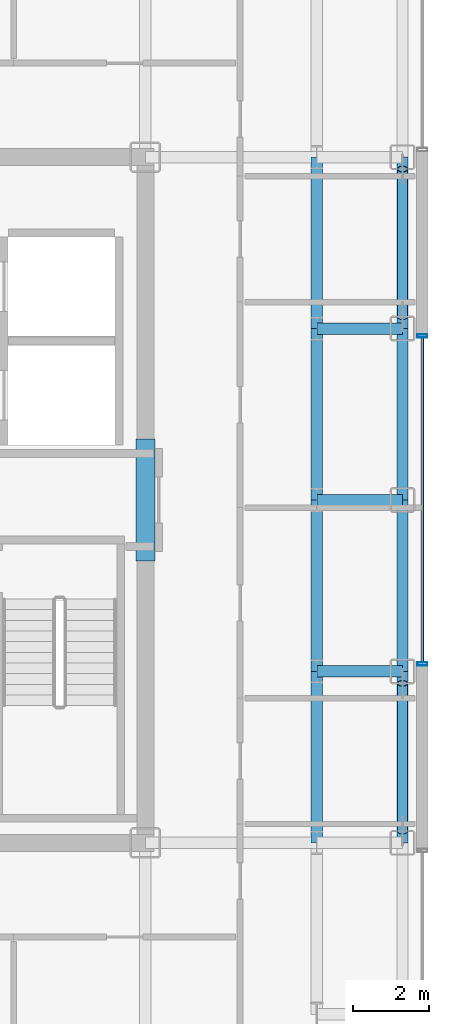
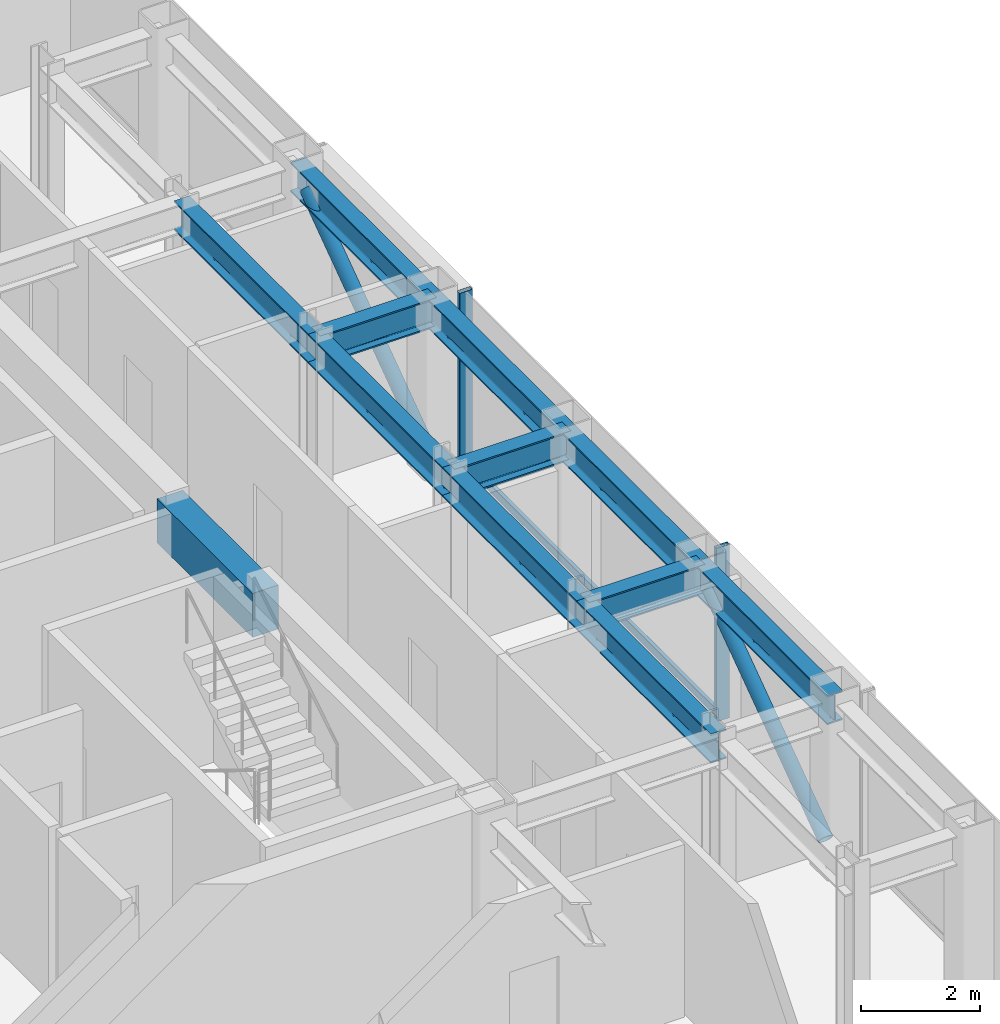
# One storey, part 6 of 16: 12 beams, 5 members, 1 element without a shape of its own.
"""IFC4 building model written with IfcOpenShell, lengths in metres."""

from ifc_helpers import new_model, si_unit, direction, frame, origin, origin_2d, place, context, subcontext, project, spatial, rectangle, hollow_rectangle, hollow_circle, i_section, extrude, source, transform, mapped, material, layer, layer_set, material_profile, profile_set, type_object, element, aggregate, save


model = new_model("IFC4")

# Units and contexts
model_context = context("Model", 3, precision=1e-05, world=origin(), true_north=direction((0.0, 1.0)))
body_context = subcontext(model_context, "Body", "Model", "MODEL_VIEW")
ifc_project = project(units=[si_unit("LENGTHUNIT", "METRE"), si_unit("AREAUNIT", "SQUARE_METRE"), si_unit("VOLUMEUNIT", "CUBIC_METRE"), si_unit("PLANEANGLEUNIT", "RADIAN"), si_unit("MASSUNIT", "GRAM", prefix="KILO")], contexts=[model_context])

# Site, building, storey
site_placement = place(None, origin())
site = spatial("IfcSite", under=ifc_project, at=site_placement, CompositionType="ELEMENT")
building_placement = place(site_placement, origin())
building = spatial("IfcBuilding", under=site, at=building_placement, Name="Nefas-Gora Pilgrimage Tower", CompositionType="ELEMENT")
storey_placement = place(building_placement, frame((0.0, 0.0, 287.39990234375)))
storey = spatial("IfcBuildingStorey", under=building, at=storey_placement, Name="L72", CompositionType="ELEMENT", Elevation=287.39990234375)

# Beams
ifc_material_1 = material(Name="Concrete C50/60", Category="concrete")
ifc_material_profile_1 = material_profile(ifc_material_1, rectangle(XDim=0.5, YDim=0.89990234375, at=origin_2d()), Name="RC 500x900")
ifc_profile_set_1 = profile_set([ifc_material_profile_1], Name="Concrete C50/60")
beam_type_1 = type_object("IfcBeamType", Name="BM-LIN-RC900", PredefinedType="LINTEL", material=ifc_profile_set_1)
shared_shape_1 = source(origin(), body_context, "Body", "SweptSolid", [
    extrude(rectangle(XDim=0.5, YDim=0.89990234375, at=origin_2d()), origin(), (0.0, 0.0, 1.0), 3.2001953125),
])
beam_placement = place(storey_placement, frame((11.25, -1.60009765625, 3.10009765625), z_axis=(0.0, 1.0, 0.0), x_axis=(-1.0, 0.0, 0.0)))
element("IfcBeam", 1, at=beam_placement, inside=storey, type_object=beam_type_1, Name="L72 Core Coupling Lintel Beam E", PredefinedType="LINTEL", context=body_context, shape_type="MappedRepresentation", body=[
    mapped(shared_shape_1, transform((0.0, 0.0, 0.0), x_axis=(1.0, 0.0, 0.0), y_axis=(0.0, 1.0, 0.0), z_axis=(0.0, 0.0, 1.0), scale=1.0)),
])
ifc_material_2 = material(Name="Steel S355", Category="steel")
ifc_material_profile_2 = material_profile(ifc_material_2, i_section(OverallWidth=0.300048828125, OverallDepth=0.60009765625, WebThickness=0.015380859375, FlangeThickness=0.030029296875, FilletRadius=0.027099609375, at=origin_2d()), Name="HEB 600")
ifc_profile_set_2 = profile_set([ifc_material_profile_2], Name="Steel S355")
beam_type_2 = type_object("IfcBeamType", Name="BM-SPN-HEB450", PredefinedType="SPANDREL", material=ifc_profile_set_2)
shared_shape_2 = source(origin(), body_context, "Body", "SweptSolid", [
    extrude(i_section(OverallWidth=0.300048828125, OverallDepth=0.60009765625, WebThickness=0.015380859375, FlangeThickness=0.030029296875, FilletRadius=0.027099609375, at=origin_2d()), origin(), (0.0, 0.0, 1.0), 4.5),
])
for number, where, z_axis, x_axis, name in (
    (2, (18.0, -9.0, 3.25), (0.0, 1.0, 0.0), (-1.0, 0.0, 0.0), "L72 SP-03 beam"),
    (3, (18.0, -4.5, 3.25), (0.0, 1.0, 0.0), (-1.0, 0.0, 0.0), "L72 SP-03 beam"),
    (4, (18.0, 0.0, 3.25), (0.0, 1.0, 0.0), (-1.0, 0.0, 0.0), "L72 SP-03 beam"),
    (5, (18.0, 4.5, 3.25), (0.0, 1.0, 0.0), (-1.0, 0.0, 0.0), "L72 SP-03 beam"),
):
    element("IfcBeam", number, at=place(storey_placement, frame(where, z_axis=z_axis, x_axis=x_axis)), inside=storey, type_object=beam_type_2, Name=name, PredefinedType="SPANDREL", context=body_context, shape_type="MappedRepresentation", body=[
        mapped(shared_shape_2, transform((0.0, 0.0, 0.0), x_axis=(1.0, 0.0, 0.0), y_axis=(0.0, 1.0, 0.0), z_axis=(0.0, 0.0, 1.0), scale=1.0)),
    ])
ifc_material_profile_3 = material_profile(ifc_material_2, i_section(OverallWidth=0.300048828125, OverallDepth=0.60009765625, WebThickness=0.015380859375, FlangeThickness=0.030029296875, FilletRadius=0.027099609375, at=origin_2d()), Name="HEB 600")
ifc_profile_set_3 = profile_set([ifc_material_profile_3], Name="Steel S355")
beam_type_3 = type_object("IfcBeamType", Name="BM-GIR-HEB600", PredefinedType="BEAM", material=ifc_profile_set_3)
shared_shape_3 = source(origin(), body_context, "Body", "SweptSolid", [
    extrude(i_section(OverallWidth=0.300048828125, OverallDepth=0.60009765625, WebThickness=0.015380859375, FlangeThickness=0.030029296875, FilletRadius=0.027099609375, at=origin_2d()), origin(), (0.0, 0.0, 1.0), 4.5),
])
for number, where, z_axis, x_axis, name in (
    (6, (15.75, -9.0, 3.25), (0.0, 1.0, 0.0), (-1.0, 0.0, 0.0), "L72 G-04 beam"),
    (7, (15.75, -4.5, 3.25), (0.0, 1.0, 0.0), (-1.0, 0.0, 0.0), "L72 G-04 beam"),
    (8, (15.75, 0.0, 3.25), (0.0, 1.0, 0.0), (-1.0, 0.0, 0.0), "L72 G-04 beam"),
    (9, (15.75, 4.5, 3.25), (0.0, 1.0, 0.0), (-1.0, 0.0, 0.0), "L72 G-04 beam"),
):
    element("IfcBeam", number, at=place(storey_placement, frame(where, z_axis=z_axis, x_axis=x_axis)), inside=storey, type_object=beam_type_3, Name=name, PredefinedType="BEAM", context=body_context, shape_type="MappedRepresentation", body=[
        mapped(shared_shape_3, transform((0.0, 0.0, 0.0), x_axis=(1.0, 0.0, 0.0), y_axis=(0.0, 1.0, 0.0), z_axis=(0.0, 0.0, 1.0), scale=1.0)),
    ])
shared_shape_4 = source(origin(), body_context, "Body", "SweptSolid", [
    extrude(i_section(OverallWidth=0.300048828125, OverallDepth=0.60009765625, WebThickness=0.015380859375, FlangeThickness=0.030029296875, FilletRadius=0.027099609375, at=origin_2d()), origin(), (0.0, 0.0, 1.0), 2.25),
])
for number, where, z_axis, x_axis, name in (
    (10, (15.75, -4.5, 3.25), (1.0, 0.0, 0.0), (0.0, 1.0, 0.0), "L72 G-04 beam"),
    (11, (15.75, 0.0, 3.25), (1.0, 0.0, 0.0), (0.0, 1.0, 0.0), "L72 G-04 beam"),
    (12, (15.75, 4.5, 3.25), (1.0, 0.0, 0.0), (0.0, 1.0, 0.0), "L72 G-04 beam"),
):
    element("IfcBeam", number, at=place(storey_placement, frame(where, z_axis=z_axis, x_axis=x_axis)), inside=storey, type_object=beam_type_3, Name=name, PredefinedType="BEAM", context=body_context, shape_type="MappedRepresentation", body=[
        mapped(shared_shape_4, transform((0.0, 0.0, 0.0), x_axis=(1.0, 0.0, 0.0), y_axis=(0.0, 1.0, 0.0), z_axis=(0.0, 0.0, 1.0), scale=1.0)),
    ])

# Members
ifc_material_profile_4 = material_profile(ifc_material_2, hollow_circle(Radius=0.136474609375, WallThickness=0.01611328125, at=origin_2d()), Name="CHS 273x16")
ifc_profile_set_4 = profile_set([ifc_material_profile_4], Name="Steel S355")
member_type_1 = type_object("IfcMemberType", Name="MEM-TUBE-273", PredefinedType="BRACE", material=ifc_profile_set_4)
shared_shape_5 = source(origin(), body_context, "Body", "SweptSolid", [
    extrude(hollow_circle(Radius=0.136474609375, WallThickness=0.01611328125, at=origin_2d()), origin(), (0.0, 0.0, 1.0), 4.763671875),
])
for number, where, z_axis, x_axis, name in (
    (13, (18.0, -8.68701171875, 0.3740234375), (0.0, 0.813255312614, 0.581907034246), (-1.0, 0.0, 0.0), "L72 Perimeter Tube Diagonal Brace E1"),
    (14, (18.0, 4.81298828125, 0.3740234375), (0.0, 0.813255312614, 0.581907034246), (-1.0, 0.0, 0.0), "L72 Perimeter Tube Diagonal Brace E2"),
):
    element("IfcMember", number, at=place(storey_placement, frame(where, z_axis=z_axis, x_axis=x_axis)), inside=storey, type_object=member_type_1, Name=name, PredefinedType="BRACE", context=body_context, shape_type="MappedRepresentation", body=[
        mapped(shared_shape_5, transform((0.0, 0.0, 0.0), x_axis=(1.0, 0.0, 0.0), y_axis=(0.0, 1.0, 0.0), z_axis=(0.0, 0.0, 1.0), scale=1.0)),
    ])

# Curtain wall, members
ifc_material_3 = material(Name="Dark ceramic-fritted solar-control aluminium-glass curtain wall", Category="aluminium")
ifc_layer = layer(ifc_material_3, 0.219970703125)
ifc_layer_set = layer_set([ifc_layer], Name="Dark ceramic-fritted solar-control aluminium-glass curtain wall")
curtain_wall_type = type_object("IfcCurtainWallType", Name="CW-SYS-4", PredefinedType="NOTDEFINED", material=ifc_layer_set)
curtain_wall_placement = place(storey_placement, origin())
curtain_wall = element("IfcCurtainWall", 15, at=curtain_wall_placement, inside=storey, type_object=curtain_wall_type, Name="L72 Unitised Curtain Wall CW4", PredefinedType="NOTDEFINED")
ifc_material_4 = material(Name="Anodised architectural aluminium", Category="aluminium")
ifc_material_profile_5 = material_profile(ifc_material_4, hollow_rectangle(XDim=0.080078125, YDim=0.159912109375, WallThickness=0.00439453125, InnerFilletRadius=0.00439453125, OuterFilletRadius=0.009033203125, at=origin_2d()), Name="ALU TRANSOM 80x160")
ifc_profile_set_5 = profile_set([ifc_material_profile_5], Name="Anodised architectural aluminium")
member_type_2 = type_object("IfcMemberType", Name="CWM-TRN-4", PredefinedType="USERDEFINED", material=ifc_profile_set_5)
shared_shape_6 = source(origin(), body_context, "Body", "SweptSolid", [
    extrude(hollow_rectangle(XDim=0.080078125, YDim=0.159912109375, WallThickness=0.00439453125, InnerFilletRadius=0.00439453125, OuterFilletRadius=0.009033203125, at=origin_2d()), origin(), (0.0, 0.0, 1.0), 8.52001953125),
])
member_1_placement = place(storey_placement, frame((18.52001953125, -4.260009765625, 0.050048828125), z_axis=(0.0, 1.0, 0.0), x_axis=(-1.0, 0.0, 0.0)))
member_1 = element("IfcMember", 16, at=member_1_placement, type_object=member_type_2, Name="CW4 Spandrel Transom", ObjectType="TRANSOM", PredefinedType="USERDEFINED", context=body_context, shape_type="MappedRepresentation", body=[
    mapped(shared_shape_6, transform((0.0, 0.0, 0.0), x_axis=(1.0, 0.0, 0.0), y_axis=(0.0, 1.0, 0.0), z_axis=(0.0, 0.0, 1.0), scale=1.0)),
])
ifc_material_profile_6 = material_profile(ifc_material_4, hollow_rectangle(XDim=0.090087890625, YDim=0.260009765625, WallThickness=0.006103515625, InnerFilletRadius=0.006103515625, OuterFilletRadius=0.011962890625, at=origin_2d()), Name="ALU MULLION 90x260")
ifc_profile_set_6 = profile_set([ifc_material_profile_6], Name="Anodised architectural aluminium")
member_type_3 = type_object("IfcMemberType", Name="CWM-MUL-4", PredefinedType="MULLION", material=ifc_profile_set_6)
shared_shape_7 = source(origin(), body_context, "Body", "SweptSolid", [
    extrude(hollow_rectangle(XDim=0.090087890625, YDim=0.260009765625, WallThickness=0.006103515625, InnerFilletRadius=0.006103515625, OuterFilletRadius=0.011962890625, at=origin_2d()), origin(), (0.0, 0.0, 1.0), 3.550048828125),
])
member_2_placement = place(storey_placement, frame((18.52001953125, -4.304931640625, 0.0), z_axis=(0.0, 0.0, 1.0), x_axis=(0.0, 1.0, 0.0)))
member_2 = element("IfcMember", 17, at=member_2_placement, type_object=member_type_3, Name="CW4 Mullion 1", PredefinedType="MULLION", context=body_context, shape_type="MappedRepresentation", body=[
    mapped(shared_shape_7, transform((0.0, 0.0, 0.0), x_axis=(1.0, 0.0, 0.0), y_axis=(0.0, 1.0, 0.0), z_axis=(0.0, 0.0, 1.0), scale=1.0)),
])
member_3_placement = place(storey_placement, frame((18.52001953125, 4.304931640625, 0.0), z_axis=(0.0, 0.0, 1.0), x_axis=(0.0, 1.0, 0.0)))
member_3 = element("IfcMember", 18, at=member_3_placement, type_object=member_type_3, Name="CW4 Mullion 2", PredefinedType="MULLION", context=body_context, shape_type="MappedRepresentation", body=[
    mapped(shared_shape_7, transform((0.0, 0.0, 0.0), x_axis=(1.0, 0.0, 0.0), y_axis=(0.0, 1.0, 0.0), z_axis=(0.0, 0.0, 1.0), scale=1.0)),
])
aggregate(curtain_wall, [member_2, member_3, member_1])

save(model, "model.ifc")
